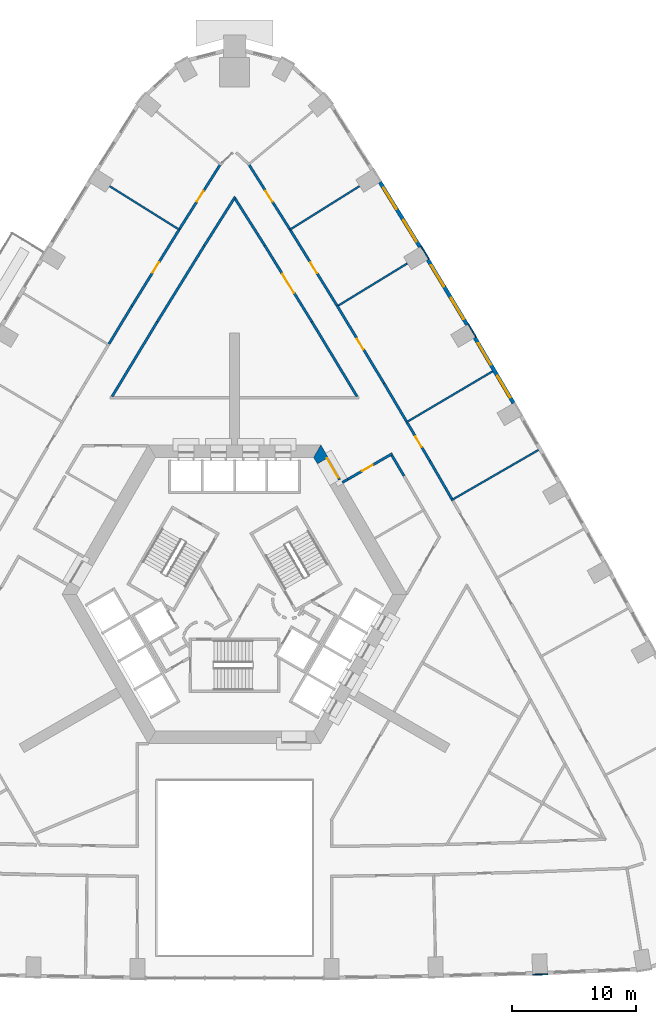
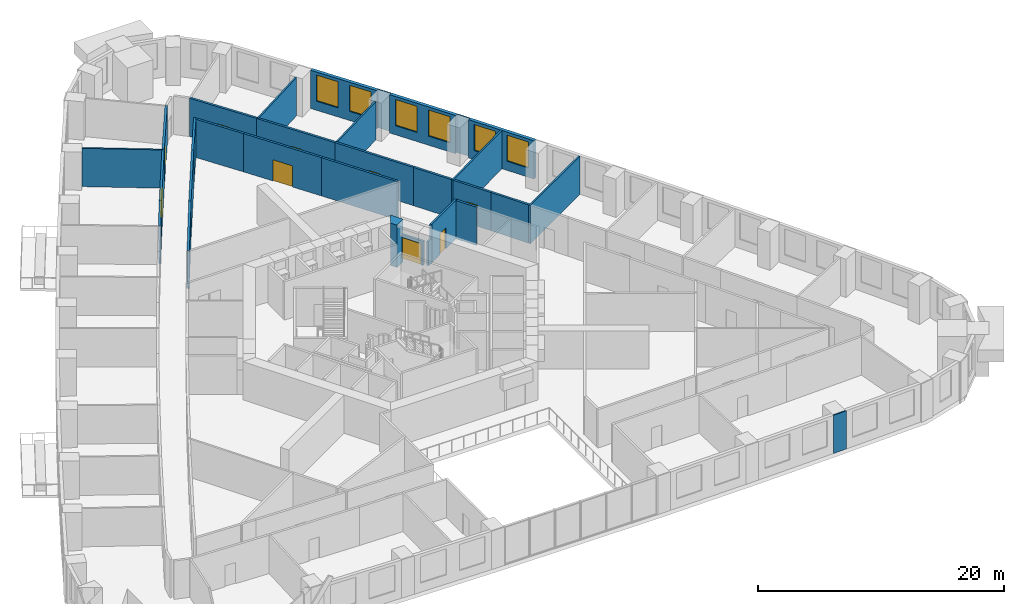
# One storey, part 10 of 16: 31 walls, 9 doors, 6 windows, 15 openings.
"""IFC4 building model written with IfcOpenShell, lengths in metres."""

from ifc_helpers import new_model, si_unit, direction, frame, frame_2d, origin, place, context, subcontext, project, spatial, polyline, rectangle, outline, extrude, material, layer, layer_set, type_object, element, fill, save


model = new_model("IFC4")

# Units and contexts
model_context = context("Model", 3, precision=1e-05, world=origin(), true_north=direction((0.0, 1.0)))
body_context = subcontext(model_context, "Body", "Model", "MODEL_VIEW")
ifc_project = project(units=[si_unit("LENGTHUNIT", "METRE"), si_unit("AREAUNIT", "SQUARE_METRE"), si_unit("VOLUMEUNIT", "CUBIC_METRE"), si_unit("PLANEANGLEUNIT", "RADIAN"), si_unit("MASSUNIT", "GRAM", prefix="KILO")], contexts=[model_context])

# Site, building, storey
site_placement = place(None, origin())
site = spatial("IfcSite", under=ifc_project, at=site_placement, CompositionType="ELEMENT")
building_placement = place(site_placement, origin())
building = spatial("IfcBuilding", under=site, at=building_placement, Name="Entoto Arch Interchange Tower", CompositionType="ELEMENT")
storey_placement = place(building_placement, frame((0.0, 0.0, 43.39990234375)))
storey = spatial("IfcBuildingStorey", under=building, at=storey_placement, Name="L08", CompositionType="ELEMENT", Elevation=43.39990234375)

# Wall, opening, door
ifc_material_1 = material(Name="Reinforced concrete C40/50", Category="concrete")
ifc_layer_1 = layer(ifc_material_1, 0.199951171875)
ifc_layer_set_1 = layer_set([ifc_layer_1], Name="Reinforced concrete C40/50")
wall_type_1 = type_object("IfcWallType", Name="CORE GAP INFILL WALL", PredefinedType="PARTITIONING", material=ifc_layer_set_1)
wall_1_placement = place(storey_placement, frame((8.429931640625, 11.697998046875, 0.0), z_axis=(0.0, 0.0, 1.0), x_axis=(-0.50002537861, 0.866010750942, 0.0)))
wall_1 = element("IfcWall", 1, at=wall_1_placement, inside=storey, type_object=wall_type_1, Name="wall:L08:gap2", PredefinedType="PARTITIONING", context=body_context, shape_type="SweptSolid", body=[
    extrude(rectangle(XDim=2.0, YDim=0.199951171875, at=frame_2d((1.0, 0.0))), origin(), (0.0, 0.0, 1.0), 2.400146484375),
])
opening_1_placement = place(wall_1_placement, frame((0.18994140625, 0.0, 0.0)))
opening_1 = element("IfcOpeningElement", 2, at=opening_1_placement, cuts=wall_1, Name="Opening L08-D92", PredefinedType="OPENING", context=body_context, shape_type="SweptSolid", body=[
    extrude(rectangle(XDim=1.800048828125, YDim=2.10009765625, at=frame_2d((0.89990234375, 1.050048828125))), frame((0.0, 0.10986328125, 0.0), z_axis=(0.0, -1.0, 0.0), x_axis=(1.0, 0.0, 0.0)), (0.0, 0.0, 1.0), 0.219970703125),
])
ifc_material_2 = material(Name="Fire-rated Steel S235 door and frame", Category="steel")
door_type_1 = type_object("IfcDoorType", Name="DOOR FD-18 1800x2100", OperationType="DOUBLE_DOOR_SINGLE_SWING", PredefinedType="DOOR", material=ifc_material_2)
door_1_placement = place(opening_1_placement, origin())
door_1 = element("IfcDoor", 3, at=door_1_placement, inside=storey, type_object=door_type_1, Name="door:L08:gap2", OperationType="DOUBLE_DOOR_SINGLE_SWING", OverallHeight=2.10009765625, OverallWidth=1.800048828125, PredefinedType="DOOR", context=body_context, shape_type="SweptSolid", body=[
    extrude(rectangle(XDim=1.800048828125, YDim=2.10009765625, at=frame_2d((0.89990234375, 1.050048828125))), frame((0.0, 0.02490234375, 0.0), z_axis=(0.0, -1.0, 0.0), x_axis=(1.0, 0.0, 0.0)), (0.0, 0.0, 1.0), 0.050048828125),
])
fill(opening_1, door_1)

# Walls
ifc_material_3 = material(Name="Concrete C60/75", Category="concrete")
ifc_layer_2 = layer(ifc_material_3, 1.0)
ifc_layer_set_2 = layer_set([ifc_layer_2], Name="Concrete C60/75")
wall_type_2 = type_object("IfcWallType", Name="Core wall 1000 C60/75", PredefinedType="SHEAR", material=ifc_layer_set_2)
wall_2_placement = place(storey_placement, frame((0.0, 0.0, -0.39990234375)))
element("IfcWall", 4, at=wall_2_placement, inside=storey, type_object=wall_type_2, Name="Core wall NE L08", PredefinedType="SHEAR", context=body_context, shape_type="SweptSolid", body=[
    extrude(outline(polyline([(6.65087890625, 12.97998046875), (7.51708984375, 13.47998046875), (6.927978515625, 14.5), (6.35107421875, 13.5), (6.65087890625, 12.97998046875)])), origin(), (0.0, 0.0, 1.0), 4.199951171875),
])
ifc_material_4 = material(Name="Gypsum board partition on steel studs", Category="steel")
ifc_layer_3 = layer(ifc_material_4, 0.14990234375)
ifc_layer_set_3 = layer_set([ifc_layer_3], Name="Gypsum board partition on steel studs")
wall_type_3 = type_object("IfcWallType", Name="PARTITION 150", PredefinedType="PARTITIONING", material=ifc_layer_set_3)
wall_3_placement = place(storey_placement, frame((17.39892578125, 10.044921875, 0.0), z_axis=(0.0, 0.0, 1.0), x_axis=(0.865980803489, 0.500077242023, 0.0)))
element("IfcWall", 5, at=wall_3_placement, inside=storey, type_object=wall_type_3, Name="wall:L08:p131", PredefinedType="PARTITIONING", context=body_context, shape_type="SweptSolid", body=[
    extrude(rectangle(XDim=8.100830078125, YDim=0.14990234375, at=frame_2d((4.05029296875, 0.0))), origin(), (0.0, 0.0, 1.0), 3.800048828125),
])
wall_4_placement = place(storey_placement, frame((13.751953125, 16.2890625, 0.0), z_axis=(0.0, 0.0, 1.0), x_axis=(0.86093852802, 0.508709004216, 0.0)))
element("IfcWall", 6, at=wall_4_placement, inside=storey, type_object=wall_type_3, Name="wall:L08:p132", PredefinedType="PARTITIONING", context=body_context, shape_type="SweptSolid", body=[
    extrude(rectangle(XDim=8.1005859375, YDim=0.14990234375, at=frame_2d((4.05029296875, 0.0))), origin(), (0.0, 0.0, 1.0), 3.800048828125),
])
wall_5_placement = place(storey_placement, frame((8.342041015625, 25.696044921875, 0.0), z_axis=(0.0, 0.0, 1.0), x_axis=(0.853252966465, 0.521497243731, 0.0)))
element("IfcWall", 7, at=wall_5_placement, inside=storey, type_object=wall_type_3, Name="wall:L08:p133", PredefinedType="PARTITIONING", context=body_context, shape_type="SweptSolid", body=[
    extrude(rectangle(XDim=6.481201171875, YDim=0.14990234375, at=frame_2d((3.24072265625, 0.0))), origin(), (0.0, 0.0, 1.0), 3.800048828125),
])
for number, where, z_axis, x_axis, name in (
    (8, (4.4541015625, 31.7958984375, 0.0), (0.0, 0.0, 1.0), (0.847954529694, 0.530068972467, 0.0), "wall:L08:p134"),
    (9, (-4.4541015625, 31.7958984375, 0.0), (0.0, 0.0, 1.0), (-0.847954529694, 0.530068972467, 0.0), "wall:L08:p137"),
):
    element("IfcWall", number, at=place(storey_placement, frame(where, z_axis=z_axis, x_axis=x_axis)), inside=storey, type_object=wall_type_3, Name=name, PredefinedType="PARTITIONING", context=body_context, shape_type="SweptSolid", body=[
        extrude(rectangle(XDim=6.580322265625, YDim=0.14990234375, at=frame_2d((3.2900390625, 0.0))), origin(), (0.0, 0.0, 1.0), 3.800048828125),
    ])
ifc_layer_4 = layer(ifc_material_4, 0.199951171875)
ifc_layer_set_4 = layer_set([ifc_layer_4], Name="Gypsum board partition on steel studs")
wall_type_4 = type_object("IfcWallType", Name="PARTITION 200", PredefinedType="PARTITIONING", material=ifc_layer_set_4)
wall_6_placement = place(storey_placement, frame((13.60595703125, 12.01611328125, 0.0), z_axis=(0.0, 0.0, 1.0), x_axis=(-0.508832553058, 0.860865513857, 0.0)))
element("IfcWall", 10, at=wall_6_placement, inside=storey, type_object=wall_type_4, Name="wall:L08:p005", PredefinedType="PARTITIONING", context=body_context, shape_type="SweptSolid", body=[
    extrude(rectangle(XDim=1.912109375, YDim=0.199951171875, at=frame_2d((0.9560546875, 0.0))), origin(), (0.0, 0.0, 1.0), 3.800048828125),
])

# Wall, opening, door
wall_7_placement = place(storey_placement, frame((12.6689453125, 13.799072265625, 0.0), z_axis=(0.0, 0.0, 1.0), x_axis=(-0.865966559136, -0.500101908074, 0.0)))
wall_7 = element("IfcWall", 11, at=wall_7_placement, inside=storey, type_object=wall_type_4, Name="wall:L08:p006", PredefinedType="PARTITIONING", context=body_context, shape_type="SweptSolid", body=[
    extrude(rectangle(XDim=4.121337890625, YDim=0.199951171875, at=frame_2d((2.060546875, 0.0))), origin(), (0.0, 0.0, 1.0), 3.800048828125),
])
opening_2_placement = place(wall_7_placement, frame((1.81005859375, 0.0, 0.0)))
opening_2 = element("IfcOpeningElement", 12, at=opening_2_placement, cuts=wall_7, Name="Opening L08-D36", PredefinedType="OPENING", context=body_context, shape_type="SweptSolid", body=[
    extrude(rectangle(XDim=1.0, YDim=2.10009765625, at=frame_2d((0.5, 1.050048828125))), frame((0.0, 0.10986328125, 0.0), z_axis=(0.0, -1.0, 0.0), x_axis=(1.0, 0.0, 0.0)), (0.0, 0.0, 1.0), 0.219970703125),
])
ifc_material_5 = material(Name="Timber door leaf in Steel S235 frame", Category="steel")
door_type_2 = type_object("IfcDoorType", Name="DOOR DS-10 1000x2100", OperationType="SINGLE_SWING_LEFT", PredefinedType="DOOR", material=ifc_material_5)
door_2_placement = place(opening_2_placement, origin())
door_2 = element("IfcDoor", 13, at=door_2_placement, inside=storey, type_object=door_type_2, Name="door:L08:36", OperationType="SINGLE_SWING_LEFT", OverallHeight=2.10009765625, OverallWidth=1.0, PredefinedType="DOOR", context=body_context, shape_type="SweptSolid", body=[
    extrude(rectangle(XDim=1.0, YDim=2.10009765625, at=frame_2d((0.5, 1.050048828125))), frame((0.0, 0.02490234375, 0.0), z_axis=(0.0, -1.0, 0.0), x_axis=(1.0, 0.0, 0.0)), (0.0, 0.0, 1.0), 0.050048828125),
])
fill(opening_2, door_2)

# Wall
wall_8_placement = place(storey_placement, frame((9.840087890625, 18.385986328125, 0.0), z_axis=(0.0, 0.0, 1.0), x_axis=(-0.51736780002, 0.85576314451, 0.0)))
element("IfcWall", 14, at=wall_8_placement, inside=storey, type_object=wall_type_4, Name="wall:L08:p008", PredefinedType="PARTITIONING", context=body_context, shape_type="SweptSolid", body=[
    extrude(rectangle(XDim=7.018310546875, YDim=0.199951171875, at=frame_2d((3.50927734375, 0.0))), origin(), (0.0, 0.0, 1.0), 3.800048828125),
])

# Wall, opening, door
wall_9_placement = place(storey_placement, frame((6.208984375, 24.39208984375, 0.0), z_axis=(0.0, 0.0, 1.0), x_axis=(-0.525766851327, 0.850628719269, 0.0)))
wall_9 = element("IfcWall", 15, at=wall_9_placement, inside=storey, type_object=wall_type_4, Name="wall:L08:p009", PredefinedType="PARTITIONING", context=body_context, shape_type="SweptSolid", body=[
    extrude(rectangle(XDim=7.20849609375, YDim=0.199951171875, at=frame_2d((3.604248046875, 0.0))), origin(), (0.0, 0.0, 1.0), 3.800048828125),
])
opening_3_placement = place(wall_9_placement, frame((2.7041015625, 0.0, 0.0)))
opening_3 = element("IfcOpeningElement", 16, at=opening_3_placement, cuts=wall_9, Name="Opening L08-D29", PredefinedType="OPENING", context=body_context, shape_type="SweptSolid", body=[
    extrude(rectangle(XDim=1.800048828125, YDim=2.10009765625, at=frame_2d((0.89990234375, 1.050048828125))), frame((0.0, 0.10986328125, 0.0), z_axis=(0.0, -1.0, 0.0), x_axis=(1.0, 0.0, 0.0)), (0.0, 0.0, 1.0), 0.219970703125),
])
door_type_3 = type_object("IfcDoorType", Name="DOOR DD-18 1800x2100", OperationType="DOUBLE_DOOR_SINGLE_SWING", PredefinedType="DOOR", material=ifc_material_5)
door_3_placement = place(opening_3_placement, origin())
door_3 = element("IfcDoor", 17, at=door_3_placement, inside=storey, type_object=door_type_3, Name="door:L08:29", OperationType="DOUBLE_DOOR_SINGLE_SWING", OverallHeight=2.10009765625, OverallWidth=1.800048828125, PredefinedType="DOOR", context=body_context, shape_type="SweptSolid", body=[
    extrude(rectangle(XDim=1.800048828125, YDim=2.10009765625, at=frame_2d((0.89990234375, 1.050048828125))), frame((0.0, 0.02490234375, 0.0), z_axis=(0.0, -1.0, 0.0), x_axis=(1.0, 0.0, 0.0)), (0.0, 0.0, 1.0), 0.050048828125),
])
fill(opening_3, door_3)

# Walls
wall_10_placement = place(storey_placement, frame((2.4189453125, 30.52392578125, 0.0), z_axis=(0.0, 0.0, 1.0), x_axis=(-0.534393348019, 0.845235913573, 0.0)))
element("IfcWall", 18, at=wall_10_placement, inside=storey, type_object=wall_type_4, Name="wall:L08:p010", PredefinedType="PARTITIONING", context=body_context, shape_type="SweptSolid", body=[
    extrude(rectangle(XDim=4.427490234375, YDim=0.199951171875, at=frame_2d((2.2138671875, 0.0))), origin(), (0.0, 0.0, 1.0), 3.800048828125),
])
wall_11_placement = place(storey_placement, frame((0.052978515625, 34.43505859375, 0.0), z_axis=(0.0, 0.0, 1.0), x_axis=(-0.534260976666, -0.845319589748, 0.0)))
element("IfcWall", 19, at=wall_11_placement, inside=storey, type_object=wall_type_4, Name="wall:L08:p011", PredefinedType="PARTITIONING", context=body_context, shape_type="SweptSolid", body=[
    extrude(rectangle(XDim=4.626708984375, YDim=0.199951171875, at=frame_2d((2.3134765625, 0.0))), origin(), (0.0, 0.0, 1.0), 3.800048828125),
])
wall_12_placement = place(storey_placement, frame((-2.4189453125, 30.52392578125, 0.0), z_axis=(0.0, 0.0, 1.0), x_axis=(-0.525766851327, -0.850628719269, 0.0)))
element("IfcWall", 20, at=wall_12_placement, inside=storey, type_object=wall_type_4, Name="wall:L08:p012", PredefinedType="PARTITIONING", context=body_context, shape_type="SweptSolid", body=[
    extrude(rectangle(XDim=7.20849609375, YDim=0.199951171875, at=frame_2d((3.604248046875, 0.0))), origin(), (0.0, 0.0, 1.0), 3.800048828125),
])
wall_13_placement = place(storey_placement, frame((-6.208984375, 24.39208984375, 0.0), z_axis=(0.0, 0.0, 1.0), x_axis=(-0.51736780002, -0.85576314451, 0.0)))
element("IfcWall", 21, at=wall_13_placement, inside=storey, type_object=wall_type_4, Name="wall:L08:p013", PredefinedType="PARTITIONING", context=body_context, shape_type="SweptSolid", body=[
    extrude(rectangle(XDim=7.018310546875, YDim=0.199951171875, at=frame_2d((3.50927734375, 0.0))), origin(), (0.0, 0.0, 1.0), 3.800048828125),
])

# Wall, opening, door
wall_14_placement = place(storey_placement, frame((13.876953125, 16.27490234375, 0.0), z_axis=(0.0, 0.0, 1.0), x_axis=(0.508613166028, -0.860995149431, 0.0)))
wall_14 = element("IfcWall", 22, at=wall_14_placement, inside=storey, type_object=wall_type_4, Name="wall:L08:p047", PredefinedType="PARTITIONING", context=body_context, shape_type="SweptSolid", body=[
    extrude(rectangle(XDim=3.541015625, YDim=0.199951171875, at=frame_2d((1.7705078125, 0.0))), origin(), (0.0, 0.0, 1.0), 3.800048828125),
])
opening_4_placement = place(wall_14_placement, frame((1.27099609375, 0.0, 0.0)))
opening_4 = element("IfcOpeningElement", 23, at=opening_4_placement, cuts=wall_14, Name="Opening L08-D07", PredefinedType="OPENING", context=body_context, shape_type="SweptSolid", body=[
    extrude(rectangle(XDim=1.0, YDim=2.10009765625, at=frame_2d((0.5, 1.050048828125))), frame((0.0, 0.10986328125, 0.0), z_axis=(0.0, -1.0, 0.0), x_axis=(1.0, 0.0, 0.0)), (0.0, 0.0, 1.0), 0.219970703125),
])
door_4_placement = place(opening_4_placement, origin())
door_4 = element("IfcDoor", 24, at=door_4_placement, inside=storey, type_object=door_type_2, Name="door:L08:07", OperationType="SINGLE_SWING_LEFT", OverallHeight=2.10009765625, OverallWidth=1.0, PredefinedType="DOOR", context=body_context, shape_type="SweptSolid", body=[
    extrude(rectangle(XDim=1.0, YDim=2.10009765625, at=frame_2d((0.5, 1.050048828125))), frame((0.0, 0.02490234375, 0.0), z_axis=(0.0, -1.0, 0.0), x_axis=(1.0, 0.0, 0.0)), (0.0, 0.0, 1.0), 0.050048828125),
])
fill(opening_4, door_4)

# Wall
wall_15_placement = place(storey_placement, frame((15.677978515625, 13.22607421875, 0.0), z_axis=(0.0, 0.0, 1.0), x_axis=(0.499951278228, -0.866053531485, 0.0)))
element("IfcWall", 25, at=wall_15_placement, inside=storey, type_object=wall_type_4, Name="wall:L08:p048", PredefinedType="PARTITIONING", context=body_context, shape_type="SweptSolid", body=[
    extrude(rectangle(XDim=3.540283203125, YDim=0.199951171875, at=frame_2d((1.77001953125, 0.0))), origin(), (0.0, 0.0, 1.0), 3.800048828125),
])

# Wall, opening, door
wall_16_placement = place(storey_placement, frame((8.218017578125, 25.7080078125, 0.0), z_axis=(0.0, 0.0, 1.0), x_axis=(0.517278800461, -0.855816944559, 0.0)))
wall_16 = element("IfcWall", 26, at=wall_16_placement, inside=storey, type_object=wall_type_4, Name="wall:L08:p049", PredefinedType="PARTITIONING", context=body_context, shape_type="SweptSolid", body=[
    extrude(rectangle(XDim=7.3076171875, YDim=0.199951171875, at=frame_2d((3.65380859375, 0.0))), origin(), (0.0, 0.0, 1.0), 3.800048828125),
])
opening_5_placement = place(wall_16_placement, frame((3.154052734375, 0.0, 0.0)))
opening_5 = element("IfcOpeningElement", 27, at=opening_5_placement, cuts=wall_16, Name="Opening L08-D08", PredefinedType="OPENING", context=body_context, shape_type="SweptSolid", body=[
    extrude(rectangle(XDim=1.0, YDim=2.10009765625, at=frame_2d((0.5, 1.050048828125))), frame((0.0, 0.10986328125, 0.0), z_axis=(0.0, -1.0, 0.0), x_axis=(1.0, 0.0, 0.0)), (0.0, 0.0, 1.0), 0.219970703125),
])
door_5_placement = place(opening_5_placement, origin())
door_5 = element("IfcDoor", 28, at=door_5_placement, inside=storey, type_object=door_type_2, Name="door:L08:08", OperationType="SINGLE_SWING_LEFT", OverallHeight=2.10009765625, OverallWidth=1.0, PredefinedType="DOOR", context=body_context, shape_type="SweptSolid", body=[
    extrude(rectangle(XDim=1.0, YDim=2.10009765625, at=frame_2d((0.5, 1.050048828125))), frame((0.0, 0.02490234375, 0.0), z_axis=(0.0, -1.0, 0.0), x_axis=(1.0, 0.0, 0.0)), (0.0, 0.0, 1.0), 0.050048828125),
])
fill(opening_5, door_5)

# Wall
wall_17_placement = place(storey_placement, frame((11.998046875, 19.4541015625, 0.0), z_axis=(0.0, 0.0, 1.0), x_axis=(0.508666621784, -0.860963569428, 0.0)))
element("IfcWall", 29, at=wall_17_placement, inside=storey, type_object=wall_type_4, Name="wall:L08:p050", PredefinedType="PARTITIONING", context=body_context, shape_type="SweptSolid", body=[
    extrude(rectangle(XDim=3.54248046875, YDim=0.199951171875, at=frame_2d((1.771240234375, 0.0))), origin(), (0.0, 0.0, 1.0), 3.800048828125),
])

# Wall, opening, door
wall_18_placement = place(storey_placement, frame((4.4140625, 31.860107421875, 0.0), z_axis=(0.0, 0.0, 1.0), x_axis=(0.525906013367, -0.850542688584, 0.0)))
wall_18 = element("IfcWall", 30, at=wall_18_placement, inside=storey, type_object=wall_type_4, Name="wall:L08:p051", PredefinedType="PARTITIONING", context=body_context, shape_type="SweptSolid", body=[
    extrude(rectangle(XDim=7.233154296875, YDim=0.199951171875, at=frame_2d((3.61669921875, 0.0))), origin(), (0.0, 0.0, 1.0), 3.800048828125),
])
opening_6_placement = place(wall_18_placement, frame((3.19091796875, 0.0, 0.0)))
opening_6 = element("IfcOpeningElement", 31, at=opening_6_placement, cuts=wall_18, Name="Opening L08-D09", PredefinedType="OPENING", context=body_context, shape_type="SweptSolid", body=[
    extrude(rectangle(XDim=1.0, YDim=2.10009765625, at=frame_2d((0.5, 1.050048828125))), frame((0.0, 0.10986328125, 0.0), z_axis=(0.0, -1.0, 0.0), x_axis=(1.0, 0.0, 0.0)), (0.0, 0.0, 1.0), 0.219970703125),
])
door_6_placement = place(opening_6_placement, origin())
door_6 = element("IfcDoor", 32, at=door_6_placement, inside=storey, type_object=door_type_2, Name="door:L08:09", OperationType="SINGLE_SWING_LEFT", OverallHeight=2.10009765625, OverallWidth=1.0, PredefinedType="DOOR", context=body_context, shape_type="SweptSolid", body=[
    extrude(rectangle(XDim=1.0, YDim=2.10009765625, at=frame_2d((0.5, 1.050048828125))), frame((0.0, 0.02490234375, 0.0), z_axis=(0.0, -1.0, 0.0), x_axis=(1.0, 0.0, 0.0)), (0.0, 0.0, 1.0), 0.050048828125),
])
fill(opening_6, door_6)

wall_19_placement = place(storey_placement, frame((1.123046875, 37.06494140625, 0.0), z_axis=(0.0, 0.0, 1.0), x_axis=(0.534428477307, -0.845213702352, 0.0)))
wall_19 = element("IfcWall", 33, at=wall_19_placement, inside=storey, type_object=wall_type_4, Name="wall:L08:p052", PredefinedType="PARTITIONING", context=body_context, shape_type="SweptSolid", body=[
    extrude(rectangle(XDim=6.157958984375, YDim=0.199951171875, at=frame_2d((3.0791015625, 0.0))), origin(), (0.0, 0.0, 1.0), 3.800048828125),
])
opening_7_placement = place(wall_19_placement, frame((2.5791015625, 0.0, 0.0)))
opening_7 = element("IfcOpeningElement", 34, at=opening_7_placement, cuts=wall_19, Name="Opening L08-D10", PredefinedType="OPENING", context=body_context, shape_type="SweptSolid", body=[
    extrude(rectangle(XDim=1.0, YDim=2.10009765625, at=frame_2d((0.5, 1.050048828125))), frame((0.0, 0.10986328125, 0.0), z_axis=(0.0, -1.0, 0.0), x_axis=(1.0, 0.0, 0.0)), (0.0, 0.0, 1.0), 0.219970703125),
])
door_7_placement = place(opening_7_placement, origin())
door_7 = element("IfcDoor", 35, at=door_7_placement, inside=storey, type_object=door_type_2, Name="door:L08:10", OperationType="SINGLE_SWING_LEFT", OverallHeight=2.10009765625, OverallWidth=1.0, PredefinedType="DOOR", context=body_context, shape_type="SweptSolid", body=[
    extrude(rectangle(XDim=1.0, YDim=2.10009765625, at=frame_2d((0.5, 1.050048828125))), frame((0.0, 0.02490234375, 0.0), z_axis=(0.0, -1.0, 0.0), x_axis=(1.0, 0.0, 0.0)), (0.0, 0.0, 1.0), 0.050048828125),
])
fill(opening_7, door_7)

wall_20_placement = place(storey_placement, frame((-4.4140625, 31.860107421875, 0.0), z_axis=(0.0, 0.0, 1.0), x_axis=(0.534428477307, 0.845213702352, 0.0)))
wall_20 = element("IfcWall", 36, at=wall_20_placement, inside=storey, type_object=wall_type_4, Name="wall:L08:p055", PredefinedType="PARTITIONING", context=body_context, shape_type="SweptSolid", body=[
    extrude(rectangle(XDim=6.157958984375, YDim=0.199951171875, at=frame_2d((3.0791015625, 0.0))), origin(), (0.0, 0.0, 1.0), 3.800048828125),
])
opening_8_placement = place(wall_20_placement, frame((2.5791015625, 0.0, 0.0)))
opening_8 = element("IfcOpeningElement", 37, at=opening_8_placement, cuts=wall_20, Name="Opening L08-D12", PredefinedType="OPENING", context=body_context, shape_type="SweptSolid", body=[
    extrude(rectangle(XDim=1.0, YDim=2.10009765625, at=frame_2d((0.5, 1.050048828125))), frame((0.0, 0.10986328125, 0.0), z_axis=(0.0, -1.0, 0.0), x_axis=(1.0, 0.0, 0.0)), (0.0, 0.0, 1.0), 0.219970703125),
])
door_8_placement = place(opening_8_placement, origin())
door_8 = element("IfcDoor", 38, at=door_8_placement, inside=storey, type_object=door_type_2, Name="door:L08:12", OperationType="SINGLE_SWING_LEFT", OverallHeight=2.10009765625, OverallWidth=1.0, PredefinedType="DOOR", context=body_context, shape_type="SweptSolid", body=[
    extrude(rectangle(XDim=1.0, YDim=2.10009765625, at=frame_2d((0.5, 1.050048828125))), frame((0.0, 0.02490234375, 0.0), z_axis=(0.0, -1.0, 0.0), x_axis=(1.0, 0.0, 0.0)), (0.0, 0.0, 1.0), 0.050048828125),
])
fill(opening_8, door_8)

# Wall
wall_21_placement = place(storey_placement, frame((-10.089111328125, 22.613037109375, 0.0), z_axis=(0.0, 0.0, 1.0), x_axis=(0.517280808896, 0.855815730603, 0.0)))
element("IfcWall", 39, at=wall_21_placement, inside=storey, type_object=wall_type_4, Name="wall:L08:p056", PredefinedType="PARTITIONING", context=body_context, shape_type="SweptSolid", body=[
    extrude(rectangle(XDim=3.541748046875, YDim=0.199951171875, at=frame_2d((1.77099609375, 0.0))), origin(), (0.0, 0.0, 1.0), 3.800048828125),
])

# Wall, opening, door
wall_22_placement = place(storey_placement, frame((-8.257080078125, 25.64404296875, 0.0), z_axis=(0.0, 0.0, 1.0), x_axis=(0.525857693262, 0.850572563887, 0.0)))
wall_22 = element("IfcWall", 40, at=wall_22_placement, inside=storey, type_object=wall_type_4, Name="wall:L08:p057", PredefinedType="PARTITIONING", context=body_context, shape_type="SweptSolid", body=[
    extrude(rectangle(XDim=7.30810546875, YDim=0.199951171875, at=frame_2d((3.654052734375, 0.0))), origin(), (0.0, 0.0, 1.0), 3.800048828125),
])
opening_9_placement = place(wall_22_placement, frame((3.154052734375, 0.0, 0.0)))
opening_9 = element("IfcOpeningElement", 41, at=opening_9_placement, cuts=wall_22, Name="Opening L08-D13", PredefinedType="OPENING", context=body_context, shape_type="SweptSolid", body=[
    extrude(rectangle(XDim=1.0, YDim=2.10009765625, at=frame_2d((0.5, 1.050048828125))), frame((0.0, 0.10986328125, 0.0), z_axis=(0.0, -1.0, 0.0), x_axis=(1.0, 0.0, 0.0)), (0.0, 0.0, 1.0), 0.219970703125),
])
door_9_placement = place(opening_9_placement, origin())
door_9 = element("IfcDoor", 42, at=door_9_placement, inside=storey, type_object=door_type_2, Name="door:L08:13", OperationType="SINGLE_SWING_LEFT", OverallHeight=2.10009765625, OverallWidth=1.0, PredefinedType="DOOR", context=body_context, shape_type="SweptSolid", body=[
    extrude(rectangle(XDim=1.0, YDim=2.10009765625, at=frame_2d((0.5, 1.050048828125))), frame((0.0, 0.02490234375, 0.0), z_axis=(0.0, -1.0, 0.0), x_axis=(1.0, 0.0, 0.0)), (0.0, 0.0, 1.0), 0.050048828125),
])
fill(opening_9, door_9)

# Wall
wall_23_placement = place(storey_placement, frame((9.10009765625, 11.738037109375, 0.0), z_axis=(0.0, 0.0, 1.0), x_axis=(-0.866071776036, -0.499919672301, 0.0)))
element("IfcWall", 43, at=wall_23_placement, inside=storey, type_object=wall_type_4, Name="wall:L08:p006", PredefinedType="PARTITIONING", context=body_context, shape_type="SweptSolid", body=[
    extrude(rectangle(XDim=0.5, YDim=0.199951171875, at=frame_2d((0.25, 0.0))), origin(), (0.0, 0.0, 1.0), 2.400146484375),
])

# Wall, openings, windows
ifc_material_6 = material(Name="Welded tuff (ignimbrite) cladding, warm buff", Category="masonry")
ifc_layer_5 = layer(ifc_material_6, 0.300048828125)
ifc_layer_set_5 = layer_set([ifc_layer_5], Name="Welded tuff (ignimbrite) cladding, warm buff")
wall_type_5 = type_object("IfcWallType", Name="STONE INFILL WALL 300", PredefinedType="STANDARD", material=ifc_layer_set_5)
wall_24_placement = place(storey_placement, frame((22.410888671875, 17.85302734375, 0.0), z_axis=(0.0, 0.0, 1.0), x_axis=(-0.508749483145, 0.860914608658, 0.0)))
wall_24 = element("IfcWall", 44, at=wall_24_placement, inside=storey, type_object=wall_type_5, Name="Facade wall NE-06 L08", PredefinedType="STANDARD", context=body_context, shape_type="SweptSolid", body=[
    extrude(rectangle(XDim=6.11669921875, YDim=0.300048828125, at=frame_2d((3.058349609375, 0.0))), origin(), (0.0, 0.0, 1.0), 3.800048828125),
])
opening_10_placement = place(wall_24_placement, frame((0.529052734375, 0.0, 0.89990234375)))
opening_10 = element("IfcOpeningElement", 45, at=opening_10_placement, cuts=wall_24, Name="Opening WO-C", PredefinedType="OPENING", context=body_context, shape_type="SweptSolid", body=[
    extrude(rectangle(XDim=2.0, YDim=2.60009765625, at=frame_2d((1.0, 1.300048828125))), frame((0.0, 0.16015625, 0.0), z_axis=(0.0, -1.0, 0.0), x_axis=(1.0, 0.0, 0.0)), (0.0, 0.0, 1.0), 0.320068359375),
])
opening_11_placement = place(wall_24_placement, frame((3.587890625, 0.0, 0.89990234375)))
opening_11 = element("IfcOpeningElement", 46, at=opening_11_placement, cuts=wall_24, Name="Opening WO-C", PredefinedType="OPENING", context=body_context, shape_type="SweptSolid", body=[
    extrude(rectangle(XDim=2.0, YDim=2.60009765625, at=frame_2d((1.0, 1.300048828125))), frame((0.0, 0.16015625, 0.0), z_axis=(0.0, -1.0, 0.0), x_axis=(1.0, 0.0, 0.0)), (0.0, 0.0, 1.0), 0.320068359375),
])
ifc_material_7 = material(Name="Clear glass, low-e double glazed", Category="glass")
window_type = type_object("IfcWindowType", Name="WINDOW WO-C 2000x2600", PartitioningType="DOUBLE_PANEL_VERTICAL", PredefinedType="WINDOW", material=ifc_material_7)
window_1_placement = place(opening_10_placement, origin())
window_1 = element("IfcWindow", 47, at=window_1_placement, inside=storey, type_object=window_type, Name="Window WO-C NE-06 L08", OverallHeight=2.60009765625, OverallWidth=2.0, PartitioningType="SINGLE_PANEL", PredefinedType="WINDOW", context=body_context, shape_type="SweptSolid", body=[
    extrude(rectangle(XDim=2.0, YDim=2.60009765625, at=frame_2d((1.0, 1.300048828125))), frame((0.0, 0.030029296875, 0.0), z_axis=(0.0, -1.0, 0.0), x_axis=(1.0, 0.0, 0.0)), (0.0, 0.0, 1.0), 0.06005859375),
])
fill(opening_10, window_1)
window_2_placement = place(opening_11_placement, origin())
window_2 = element("IfcWindow", 48, at=window_2_placement, inside=storey, type_object=window_type, Name="Window WO-C NE-06 L08", OverallHeight=2.60009765625, OverallWidth=2.0, PartitioningType="SINGLE_PANEL", PredefinedType="WINDOW", context=body_context, shape_type="SweptSolid", body=[
    extrude(rectangle(XDim=2.0, YDim=2.60009765625, at=frame_2d((1.0, 1.300048828125))), frame((0.0, 0.030029296875, 0.0), z_axis=(0.0, -1.0, 0.0), x_axis=(1.0, 0.0, 0.0)), (0.0, 0.0, 1.0), 0.06005859375),
])
fill(opening_11, window_2)

wall_25_placement = place(storey_placement, frame((18.68408203125, 24.14794921875, 0.0), z_axis=(0.0, 0.0, 1.0), x_axis=(-0.517211293816, 0.855857743757, 0.0)))
wall_25 = element("IfcWall", 49, at=wall_25_placement, inside=storey, type_object=wall_type_5, Name="Facade wall NE-07 L08", PredefinedType="STANDARD", context=body_context, shape_type="SweptSolid", body=[
    extrude(rectangle(XDim=6.11572265625, YDim=0.300048828125, at=frame_2d((3.057861328125, 0.0))), origin(), (0.0, 0.0, 1.0), 3.800048828125),
])
opening_12_placement = place(wall_25_placement, frame((0.529052734375, 0.0, 0.89990234375)))
opening_12 = element("IfcOpeningElement", 50, at=opening_12_placement, cuts=wall_25, Name="Opening WO-C", PredefinedType="OPENING", context=body_context, shape_type="SweptSolid", body=[
    extrude(rectangle(XDim=2.0, YDim=2.60009765625, at=frame_2d((1.0, 1.300048828125))), frame((0.0, 0.16015625, 0.0), z_axis=(0.0, -1.0, 0.0), x_axis=(1.0, 0.0, 0.0)), (0.0, 0.0, 1.0), 0.320068359375),
])
opening_13_placement = place(wall_25_placement, frame((3.5869140625, 0.0, 0.89990234375)))
opening_13 = element("IfcOpeningElement", 51, at=opening_13_placement, cuts=wall_25, Name="Opening WO-C", PredefinedType="OPENING", context=body_context, shape_type="SweptSolid", body=[
    extrude(rectangle(XDim=2.0, YDim=2.60009765625, at=frame_2d((1.0, 1.300048828125))), frame((0.0, 0.16015625, 0.0), z_axis=(0.0, -1.0, 0.0), x_axis=(1.0, 0.0, 0.0)), (0.0, 0.0, 1.0), 0.320068359375),
])
window_3_placement = place(opening_12_placement, origin())
window_3 = element("IfcWindow", 52, at=window_3_placement, inside=storey, type_object=window_type, Name="Window WO-C NE-07 L08", OverallHeight=2.60009765625, OverallWidth=2.0, PartitioningType="SINGLE_PANEL", PredefinedType="WINDOW", context=body_context, shape_type="SweptSolid", body=[
    extrude(rectangle(XDim=2.0, YDim=2.60009765625, at=frame_2d((1.0, 1.300048828125))), frame((0.0, 0.030029296875, 0.0), z_axis=(0.0, -1.0, 0.0), x_axis=(1.0, 0.0, 0.0)), (0.0, 0.0, 1.0), 0.06005859375),
])
fill(opening_12, window_3)
window_4_placement = place(opening_13_placement, origin())
window_4 = element("IfcWindow", 53, at=window_4_placement, inside=storey, type_object=window_type, Name="Window WO-C NE-07 L08", OverallHeight=2.60009765625, OverallWidth=2.0, PartitioningType="SINGLE_PANEL", PredefinedType="WINDOW", context=body_context, shape_type="SweptSolid", body=[
    extrude(rectangle(XDim=2.0, YDim=2.60009765625, at=frame_2d((1.0, 1.300048828125))), frame((0.0, 0.030029296875, 0.0), z_axis=(0.0, -1.0, 0.0), x_axis=(1.0, 0.0, 0.0)), (0.0, 0.0, 1.0), 0.06005859375),
])
fill(opening_13, window_4)

wall_26_placement = place(storey_placement, frame((14.89599609375, 30.404052734375, 0.0), z_axis=(0.0, 0.0, 1.0), x_axis=(-0.525791118496, 0.850613719447, 0.0)))
wall_26 = element("IfcWall", 54, at=wall_26_placement, inside=storey, type_object=wall_type_5, Name="Facade wall NE-08 L08", PredefinedType="STANDARD", context=body_context, shape_type="SweptSolid", body=[
    extrude(rectangle(XDim=6.11669921875, YDim=0.300048828125, at=frame_2d((3.058349609375, 0.0))), origin(), (0.0, 0.0, 1.0), 3.800048828125),
])
opening_14_placement = place(wall_26_placement, frame((0.529052734375, 0.0, 0.89990234375)))
opening_14 = element("IfcOpeningElement", 55, at=opening_14_placement, cuts=wall_26, Name="Opening WO-C", PredefinedType="OPENING", context=body_context, shape_type="SweptSolid", body=[
    extrude(rectangle(XDim=2.0, YDim=2.60009765625, at=frame_2d((1.0, 1.300048828125))), frame((0.0, 0.16015625, 0.0), z_axis=(0.0, -1.0, 0.0), x_axis=(1.0, 0.0, 0.0)), (0.0, 0.0, 1.0), 0.320068359375),
])
opening_15_placement = place(wall_26_placement, frame((3.587890625, 0.0, 0.89990234375)))
opening_15 = element("IfcOpeningElement", 56, at=opening_15_placement, cuts=wall_26, Name="Opening WO-C", PredefinedType="OPENING", context=body_context, shape_type="SweptSolid", body=[
    extrude(rectangle(XDim=2.0, YDim=2.60009765625, at=frame_2d((1.0, 1.300048828125))), frame((0.0, 0.16015625, 0.0), z_axis=(0.0, -1.0, 0.0), x_axis=(1.0, 0.0, 0.0)), (0.0, 0.0, 1.0), 0.320068359375),
])
window_5_placement = place(opening_14_placement, origin())
window_5 = element("IfcWindow", 57, at=window_5_placement, inside=storey, type_object=window_type, Name="Window WO-C NE-08 L08", OverallHeight=2.60009765625, OverallWidth=2.0, PartitioningType="SINGLE_PANEL", PredefinedType="WINDOW", context=body_context, shape_type="SweptSolid", body=[
    extrude(rectangle(XDim=2.0, YDim=2.60009765625, at=frame_2d((1.0, 1.300048828125))), frame((0.0, 0.030029296875, 0.0), z_axis=(0.0, -1.0, 0.0), x_axis=(1.0, 0.0, 0.0)), (0.0, 0.0, 1.0), 0.06005859375),
])
fill(opening_14, window_5)
window_6_placement = place(opening_15_placement, origin())
window_6 = element("IfcWindow", 58, at=window_6_placement, inside=storey, type_object=window_type, Name="Window WO-C NE-08 L08", OverallHeight=2.60009765625, OverallWidth=2.0, PartitioningType="SINGLE_PANEL", PredefinedType="WINDOW", context=body_context, shape_type="SweptSolid", body=[
    extrude(rectangle(XDim=2.0, YDim=2.60009765625, at=frame_2d((1.0, 1.300048828125))), frame((0.0, 0.030029296875, 0.0), z_axis=(0.0, -1.0, 0.0), x_axis=(1.0, 0.0, 0.0)), (0.0, 0.0, 1.0), 0.06005859375),
])
fill(opening_15, window_6)

# Walls
ifc_layer_6 = layer(ifc_material_6, 0.10009765625)
ifc_layer_set_6 = layer_set([ifc_layer_6], Name="Welded tuff (ignimbrite) cladding, warm buff")
wall_type_6 = type_object("IfcWallType", Name="STONE PIER CLADDING 100", PredefinedType="STANDARD", material=ifc_layer_set_6)
for number, where, z_axis, x_axis, name in (
    (59, (19.387939453125, 23.1708984375, 0.0), (0.0, 0.0, 1.0), (-0.513238760752, 0.858245870635, 0.0), "Stone pier NE07 L08"),
    (60, (15.60888671875, 29.43505859375, 0.0), (0.0, 0.0, 1.0), (-0.521598117945, 0.853191305251, 0.0), "Stone pier NE08 L08"),
):
    element("IfcWall", number, at=place(storey_placement, frame(where, z_axis=z_axis, x_axis=x_axis)), inside=storey, type_object=wall_type_6, Name=name, PredefinedType="STANDARD", context=body_context, shape_type="SweptSolid", body=[
        extrude(rectangle(XDim=1.2001953125, YDim=0.10009765625, at=frame_2d((0.60009765625, 0.0))), origin(), (0.0, 0.0, 1.0), 3.800048828125),
    ])
wall_27_placement = place(storey_placement, frame((23.93896484375, -28.056884765625, 0.0), z_axis=(0.0, 0.0, 1.0), x_axis=(0.999449640202, 0.033172529292, 0.0)))
element("IfcWall", 61, at=wall_27_placement, inside=storey, type_object=wall_type_6, Name="Stone pier S07 L08", PredefinedType="STANDARD", context=body_context, shape_type="SweptSolid", body=[
    extrude(rectangle(XDim=1.19970703125, YDim=0.10009765625, at=frame_2d((0.599853515625, 0.0))), origin(), (0.0, 0.0, 1.0), 3.800048828125),
])

save(model, "model.ifc")
